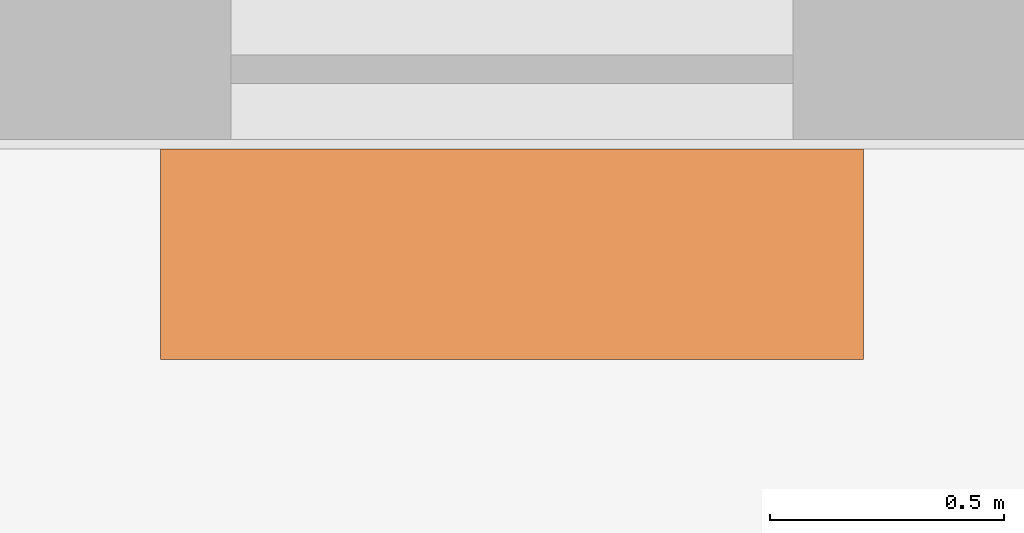
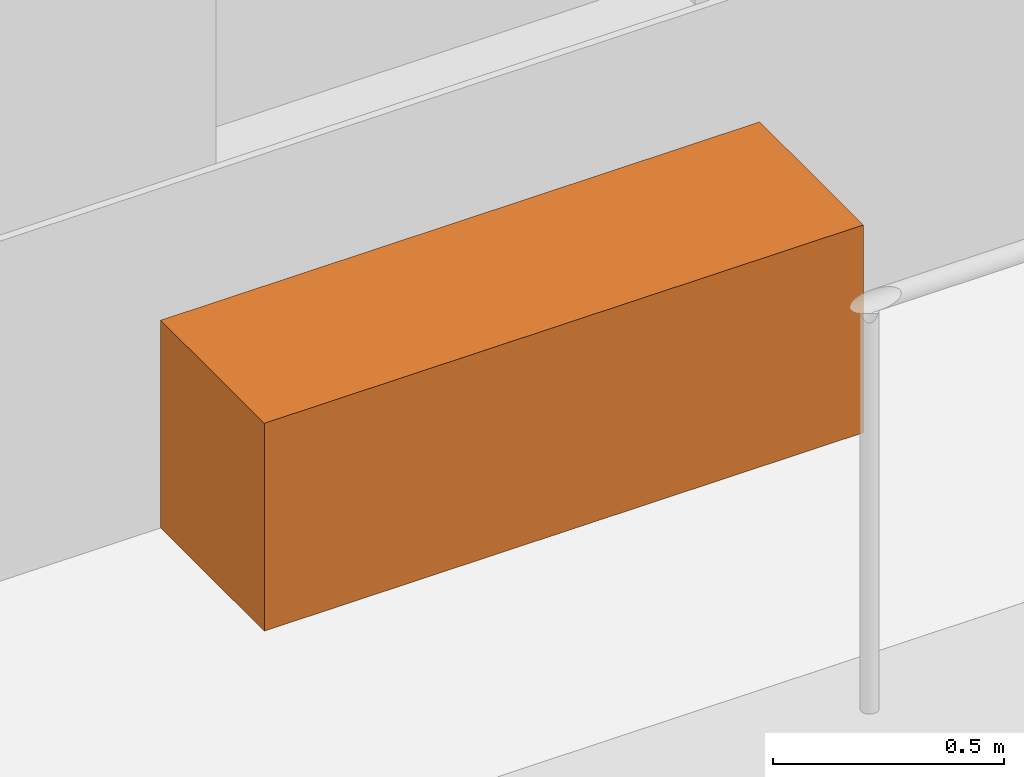
# One storey, part 12 of 12: 1 proxy.
"""IFC4 building model written with IfcOpenShell, lengths in metres."""

from ifc_helpers import new_model, si_unit, direction, frame, origin, origin_2d, place, context, subcontext, project, spatial, rectangle, extrude, element, save


model = new_model("IFC4")

# Units and contexts
model_context = context("Model", 3, precision=1e-05, world=origin(), true_north=direction((0.0, 1.0)))
body_context = subcontext(model_context, "Body", "Model", "MODEL_VIEW")
ifc_project = project(units=[si_unit("LENGTHUNIT", "METRE"), si_unit("AREAUNIT", "SQUARE_METRE"), si_unit("VOLUMEUNIT", "CUBIC_METRE"), si_unit("PLANEANGLEUNIT", "RADIAN"), si_unit("MASSUNIT", "GRAM", prefix="KILO")], contexts=[model_context])

# Site, building, storey
site_placement = place(None, origin())
site = spatial("IfcSite", under=ifc_project, at=site_placement, CompositionType="ELEMENT")
building_placement = place(site_placement, origin())
building = spatial("IfcBuilding", under=site, at=building_placement, Name="Candeia Pilgrim Tower and Theatre", CompositionType="ELEMENT")
storey_placement = place(building_placement, frame((0.0, 0.0, 231.800048828125)))
storey = spatial("IfcBuildingStorey", under=building, at=storey_placement, Name="L56", CompositionType="ELEMENT", Elevation=231.800048828125)

# Proxy
proxy_placement = place(storey_placement, frame((102.89990234375, 99.2548828125, 0.0), z_axis=(0.0, 0.0, 1.0), x_axis=(1.0, 0.0, 0.0)))
element("IfcBuildingElementProxy", 1, at=proxy_placement, inside=storey, Name="Planter", ObjectType="PLANTER", PredefinedType="USERDEFINED", context=body_context, shape_type="SweptSolid", body=[
    extrude(rectangle(XDim=1.5, YDim=0.449951171875, at=origin_2d()), origin(), (0.0, 0.0, 1.0), 0.550048828125),
])

save(model, "model.ifc")
